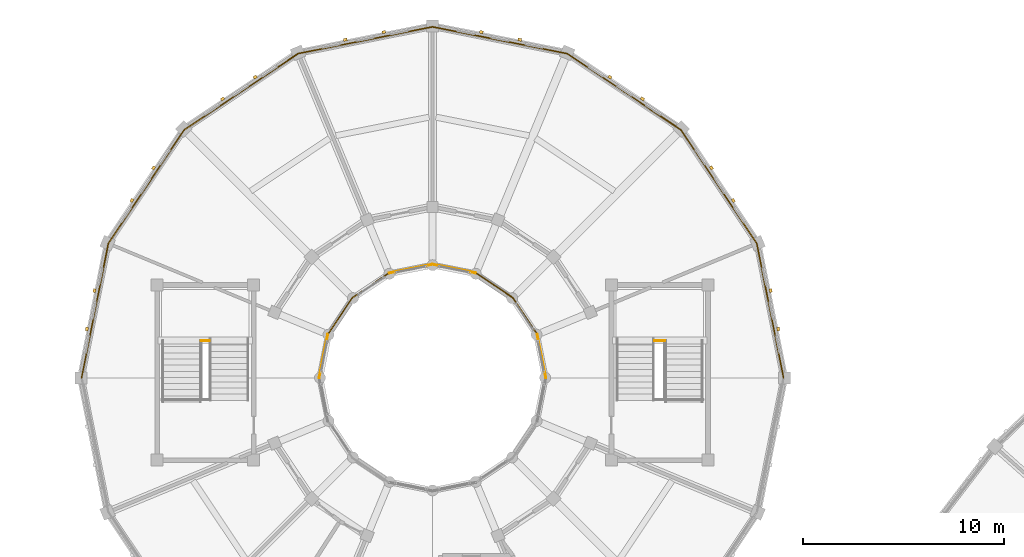
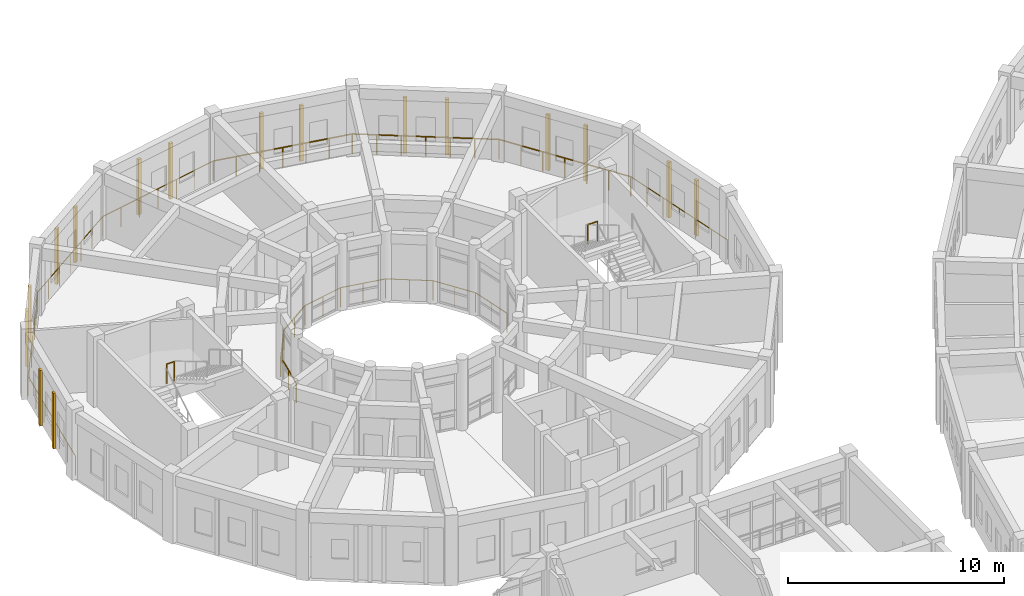
# One storey, part 104 of 112: 18 railings, 16 coverings.
"""IFC4 building model written with IfcOpenShell, lengths in metres."""

from ifc_helpers import new_model, si_unit, direction, frame, origin, origin_2d, place, context, subcontext, project, spatial, rectangle, circle, extrude, material, layer, layer_set, type_object, element, save


model = new_model("IFC4")

# Units and contexts
model_context = context("Model", 3, precision=1e-05, world=origin(), true_north=direction((0.0, 1.0)))
body_context = subcontext(model_context, "Body", "Model", "MODEL_VIEW")
ifc_project = project(units=[si_unit("LENGTHUNIT", "METRE"), si_unit("AREAUNIT", "SQUARE_METRE"), si_unit("VOLUMEUNIT", "CUBIC_METRE"), si_unit("PLANEANGLEUNIT", "RADIAN"), si_unit("MASSUNIT", "GRAM", prefix="KILO")], contexts=[model_context])

# Site, building, storey
site_placement = place(None, origin())
site = spatial("IfcSite", under=ifc_project, at=site_placement, CompositionType="ELEMENT")
building_placement = place(site_placement, origin())
building = spatial("IfcBuilding", under=site, at=building_placement, Name="Celadon Cloister-Ring School", CompositionType="ELEMENT")
storey_placement = place(building_placement, frame((0.0, 0.0, 8.5)))
storey = spatial("IfcBuildingStorey", under=building, at=storey_placement, Name="L02", CompositionType="ELEMENT", Elevation=8.5)

# Coverings
ifc_material_1 = material(Name="Perforated terracotta clay brick masonry", Category="masonry")
ifc_layer = layer(ifc_material_1, 0.139892578125)
ifc_layer_set = layer_set([ifc_layer], Name="Perforated terracotta clay brick masonry")
covering_type = type_object("IfcCoveringType", Name="CV-SC1", PredefinedType="CLADDING", material=ifc_layer_set)
for number, where, z_axis, x_axis, name in (
    (1, (37.01708984375, 101.339111328125, 0.0), (0.0, 0.0, 1.0), (0.195141675546, -0.980775064153, 0.0), "Brick Screen Rib 0502"),
    (2, (37.39794921875, 99.427001953125, 0.0), (0.0, 0.0, 1.0), (0.195141675546, -0.980775064153, 0.0), "Brick Screen Rib 0503"),
    (3, (34.075927734375, 107.444091796875, 0.0), (0.0, 0.0, 1.0), (0.55567181205, -0.831401730389, 0.0), "Brick Screen Rib 0504"),
    (4, (35.159912109375, 105.822998046875, 0.0), (0.0, 0.0, 1.0), (0.55567181205, -0.831401730389, 0.0), "Brick Screen Rib 0505"),
    (5, (29.02294921875, 111.9599609375, 0.0), (0.0, 0.0, 1.0), (0.831401730389, -0.55567181205, 0.0), "Brick Screen Rib 0506"),
    (6, (30.64404296875, 110.8759765625, 0.0), (0.0, 0.0, 1.0), (0.831401730389, -0.55567181205, 0.0), "Brick Screen Rib 0507"),
    (7, (22.626953125, 114.197998046875, 0.0), (0.0, 0.0, 1.0), (0.980775064153, -0.195141675546, 0.0), "Brick Screen Rib 0508"),
    (8, (24.5390625, 113.81689453125, 0.0), (0.0, 0.0, 1.0), (0.980775064153, -0.195141675546, 0.0), "Brick Screen Rib 0509"),
    (9, (15.861083984375, 113.81689453125, 0.0), (0.0, 0.0, 1.0), (0.980775064153, 0.195141675546, 0.0), "Brick Screen Rib 0510"),
    (10, (17.77294921875, 114.197998046875, 0.0), (0.0, 0.0, 1.0), (0.980775064153, 0.195141675546, 0.0), "Brick Screen Rib 0511"),
    (11, (9.756103515625, 110.8759765625, 0.0), (0.0, 0.0, 1.0), (0.831401730389, 0.55567181205, 0.0), "Brick Screen Rib 0512"),
    (12, (11.376953125, 111.9599609375, 0.0), (0.0, 0.0, 1.0), (0.831401730389, 0.55567181205, 0.0), "Brick Screen Rib 0513"),
    (13, (5.239990234375, 105.822998046875, 0.0), (0.0, 0.0, 1.0), (0.55567181205, 0.831401730389, 0.0), "Brick Screen Rib 0514"),
    (14, (6.323974609375, 107.444091796875, 0.0), (0.0, 0.0, 1.0), (0.55567181205, 0.831401730389, 0.0), "Brick Screen Rib 0515"),
    (15, (3.001953125, 99.427001953125, 0.0), (0.0, 0.0, 1.0), (0.195141675546, 0.980775064153, 0.0), "Brick Screen Rib 0516"),
    (16, (3.383056640625, 101.339111328125, 0.0), (0.0, 0.0, 1.0), (0.195141675546, 0.980775064153, 0.0), "Brick Screen Rib 0517"),
):
    element("IfcCovering", number, at=place(storey_placement, frame(where, z_axis=z_axis, x_axis=x_axis)), inside=storey, type_object=covering_type, Name=name, PredefinedType="CLADDING", context=body_context, shape_type="SweptSolid", body=[
        extrude(rectangle(XDim=0.179931640625, YDim=0.139892578125, at=origin_2d()), origin(), (0.0, 0.0, 1.0), 3.152099609375),
    ])

# Railings
ifc_material_2 = material(Name="Structural steel S355JR", Category="steel")
railing_type_1 = type_object("IfcRailingType", Name="RL-BL1", PredefinedType="BALUSTRADE", material=ifc_material_2)
railing_1_placement = place(storey_placement, frame((37.659912109375, 97.0, 0.0)))
element("IfcRailing", 17, at=railing_1_placement, inside=storey, type_object=railing_type_1, Name="Terrace Balustrade 0249", PredefinedType="BALUSTRADE", context=body_context, shape_type="SweptSolid", body=[
    extrude(circle(Radius=0.02392578125, at=origin_2d()), frame((0.0, 0.0, 1.09619140625), z_axis=(-0.19505472673, 0.980792360074, 0.0), x_axis=(-0.980792360074, -0.19505472673, 0.0)), (0.0, 0.0, 1.0), 6.812744140625),
    extrude(circle(Radius=0.02099609375, at=origin_2d()), origin(), (0.0, 0.0, 1.0), 1.072021484375),
    extrude(circle(Radius=0.02099609375, at=origin_2d()), frame((-0.221435546875, 1.11376953125, 0.0)), (0.0, 0.0, 1.0), 1.072021484375),
    extrude(circle(Radius=0.02099609375, at=origin_2d()), frame((-0.44287109375, 2.227294921875, 0.0)), (0.0, 0.0, 1.0), 1.072021484375),
    extrude(circle(Radius=0.02099609375, at=origin_2d()), frame((-0.66455078125, 3.3408203125, 0.0)), (0.0, 0.0, 1.0), 1.072021484375),
    extrude(circle(Radius=0.02099609375, at=origin_2d()), frame((-0.885986328125, 4.45458984375, 0.0)), (0.0, 0.0, 1.0), 1.072021484375),
    extrude(circle(Radius=0.02099609375, at=origin_2d()), frame((-1.107421875, 5.568359375, 0.0)), (0.0, 0.0, 1.0), 1.072021484375),
    extrude(circle(Radius=0.02099609375, at=origin_2d()), frame((-1.328857421875, 6.681884765625, 0.0)), (0.0, 0.0, 1.0), 1.072021484375),
])
railing_2_placement = place(storey_placement, frame((36.3310546875, 103.681884765625, 0.0)))
element("IfcRailing", 18, at=railing_2_placement, inside=storey, type_object=railing_type_1, Name="Terrace Balustrade 0250", PredefinedType="BALUSTRADE", context=body_context, shape_type="SweptSolid", body=[
    extrude(circle(Radius=0.02392578125, at=origin_2d()), frame((0.0, 0.0, 1.09619140625), z_axis=(-0.555626116577, 0.831432269387, 0.0), x_axis=(-0.831432269387, -0.555626116577, 0.0)), (0.0, 0.0, 1.0), 6.8125),
    extrude(circle(Radius=0.02099609375, at=origin_2d()), origin(), (0.0, 0.0, 1.0), 1.072021484375),
    extrude(circle(Radius=0.02099609375, at=origin_2d()), frame((-0.630859375, 0.944091796875, 0.0)), (0.0, 0.0, 1.0), 1.072021484375),
    extrude(circle(Radius=0.02099609375, at=origin_2d()), frame((-1.26171875, 1.887939453125, 0.0)), (0.0, 0.0, 1.0), 1.072021484375),
    extrude(circle(Radius=0.02099609375, at=origin_2d()), frame((-1.892578125, 2.83203125, 0.0)), (0.0, 0.0, 1.0), 1.072021484375),
    extrude(circle(Radius=0.02099609375, at=origin_2d()), frame((-2.5234375, 3.776123046875, 0.0)), (0.0, 0.0, 1.0), 1.072021484375),
    extrude(circle(Radius=0.02099609375, at=origin_2d()), frame((-3.154296875, 4.719970703125, 0.0)), (0.0, 0.0, 1.0), 1.072021484375),
    extrude(circle(Radius=0.02099609375, at=origin_2d()), frame((-3.78515625, 5.6640625, 0.0)), (0.0, 0.0, 1.0), 1.072021484375),
])
railing_3_placement = place(storey_placement, frame((32.5458984375, 109.345947265625, 0.0)))
element("IfcRailing", 19, at=railing_3_placement, inside=storey, type_object=railing_type_1, Name="Terrace Balustrade 0251", PredefinedType="BALUSTRADE", context=body_context, shape_type="SweptSolid", body=[
    extrude(circle(Radius=0.02392578125, at=origin_2d()), frame((0.0, 0.0, 1.09619140625), z_axis=(-0.831421205096, 0.555642672693, 0.0), x_axis=(-0.555642672693, -0.831421205096, 0.0)), (0.0, 0.0, 1.0), 6.812255859375),
    extrude(circle(Radius=0.02099609375, at=origin_2d()), origin(), (0.0, 0.0, 1.0), 1.072021484375),
    extrude(circle(Radius=0.02099609375, at=origin_2d()), frame((-0.94384765625, 0.630859375, 0.0)), (0.0, 0.0, 1.0), 1.072021484375),
    extrude(circle(Radius=0.02099609375, at=origin_2d()), frame((-1.887939453125, 1.26171875, 0.0)), (0.0, 0.0, 1.0), 1.072021484375),
    extrude(circle(Radius=0.02099609375, at=origin_2d()), frame((-2.83203125, 1.892578125, 0.0)), (0.0, 0.0, 1.0), 1.072021484375),
    extrude(circle(Radius=0.02099609375, at=origin_2d()), frame((-3.77587890625, 2.5234375, 0.0)), (0.0, 0.0, 1.0), 1.072021484375),
    extrude(circle(Radius=0.02099609375, at=origin_2d()), frame((-4.7197265625, 3.154296875, 0.0)), (0.0, 0.0, 1.0), 1.072021484375),
    extrude(circle(Radius=0.02099609375, at=origin_2d()), frame((-5.663818359375, 3.78515625, 0.0)), (0.0, 0.0, 1.0), 1.072021484375),
])
railing_4_placement = place(storey_placement, frame((26.882080078125, 113.131103515625, 0.0)))
element("IfcRailing", 20, at=railing_4_placement, inside=storey, type_object=railing_type_1, Name="Terrace Balustrade 0252", PredefinedType="BALUSTRADE", context=body_context, shape_type="SweptSolid", body=[
    extrude(circle(Radius=0.02392578125, at=origin_2d()), frame((0.0, 0.0, 1.09619140625), z_axis=(-0.980793723427, 0.195047871268, 0.0), x_axis=(-0.195047871268, -0.980793723427, 0.0)), (0.0, 0.0, 1.0), 6.81298828125),
    extrude(circle(Radius=0.02099609375, at=origin_2d()), origin(), (0.0, 0.0, 1.0), 1.072021484375),
    extrude(circle(Radius=0.02099609375, at=origin_2d()), frame((-1.11376953125, 0.221435546875, 0.0)), (0.0, 0.0, 1.0), 1.072021484375),
    extrude(circle(Radius=0.02099609375, at=origin_2d()), frame((-2.227294921875, 0.44287109375, 0.0)), (0.0, 0.0, 1.0), 1.072021484375),
    extrude(circle(Radius=0.02099609375, at=origin_2d()), frame((-3.341064453125, 0.66455078125, 0.0)), (0.0, 0.0, 1.0), 1.072021484375),
    extrude(circle(Radius=0.02099609375, at=origin_2d()), frame((-4.454833984375, 0.885986328125, 0.0)), (0.0, 0.0, 1.0), 1.072021484375),
    extrude(circle(Radius=0.02099609375, at=origin_2d()), frame((-5.568359375, 1.107421875, 0.0)), (0.0, 0.0, 1.0), 1.072021484375),
    extrude(circle(Radius=0.02099609375, at=origin_2d()), frame((-6.68212890625, 1.328857421875, 0.0)), (0.0, 0.0, 1.0), 1.072021484375),
])
railing_5_placement = place(storey_placement, frame((20.199951171875, 114.4599609375, 0.0)))
element("IfcRailing", 21, at=railing_5_placement, inside=storey, type_object=railing_type_1, Name="Terrace Balustrade 0253", PredefinedType="BALUSTRADE", context=body_context, shape_type="SweptSolid", body=[
    extrude(circle(Radius=0.02392578125, at=origin_2d()), frame((0.0, 0.0, 1.09619140625), z_axis=(-0.980792360074, -0.19505472673, 0.0), x_axis=(0.19505472673, -0.980792360074, 0.0)), (0.0, 0.0, 1.0), 6.812744140625),
    extrude(circle(Radius=0.02099609375, at=origin_2d()), origin(), (0.0, 0.0, 1.0), 1.072021484375),
    extrude(circle(Radius=0.02099609375, at=origin_2d()), frame((-1.11376953125, -0.221435546875, 0.0)), (0.0, 0.0, 1.0), 1.072021484375),
    extrude(circle(Radius=0.02099609375, at=origin_2d()), frame((-2.227294921875, -0.44287109375, 0.0)), (0.0, 0.0, 1.0), 1.072021484375),
    extrude(circle(Radius=0.02099609375, at=origin_2d()), frame((-3.3408203125, -0.66455078125, 0.0)), (0.0, 0.0, 1.0), 1.072021484375),
    extrude(circle(Radius=0.02099609375, at=origin_2d()), frame((-4.45458984375, -0.885986328125, 0.0)), (0.0, 0.0, 1.0), 1.072021484375),
    extrude(circle(Radius=0.02099609375, at=origin_2d()), frame((-5.568359375, -1.107421875, 0.0)), (0.0, 0.0, 1.0), 1.072021484375),
    extrude(circle(Radius=0.02099609375, at=origin_2d()), frame((-6.681884765625, -1.328857421875, 0.0)), (0.0, 0.0, 1.0), 1.072021484375),
])
railing_6_placement = place(storey_placement, frame((13.51806640625, 113.131103515625, 0.0)))
element("IfcRailing", 22, at=railing_6_placement, inside=storey, type_object=railing_type_1, Name="Terrace Balustrade 0254", PredefinedType="BALUSTRADE", context=body_context, shape_type="SweptSolid", body=[
    extrude(circle(Radius=0.02392578125, at=origin_2d()), frame((0.0, 0.0, 1.09619140625), z_axis=(-0.831432269387, -0.555626116577, 0.0), x_axis=(0.555626116577, -0.831432269387, 0.0)), (0.0, 0.0, 1.0), 6.8125),
    extrude(circle(Radius=0.02099609375, at=origin_2d()), origin(), (0.0, 0.0, 1.0), 1.072021484375),
    extrude(circle(Radius=0.02099609375, at=origin_2d()), frame((-0.944091796875, -0.630859375, 0.0)), (0.0, 0.0, 1.0), 1.072021484375),
    extrude(circle(Radius=0.02099609375, at=origin_2d()), frame((-1.887939453125, -1.26171875, 0.0)), (0.0, 0.0, 1.0), 1.072021484375),
    extrude(circle(Radius=0.02099609375, at=origin_2d()), frame((-2.83203125, -1.892578125, 0.0)), (0.0, 0.0, 1.0), 1.072021484375),
    extrude(circle(Radius=0.02099609375, at=origin_2d()), frame((-3.776123046875, -2.5234375, 0.0)), (0.0, 0.0, 1.0), 1.072021484375),
    extrude(circle(Radius=0.02099609375, at=origin_2d()), frame((-4.719970703125, -3.154296875, 0.0)), (0.0, 0.0, 1.0), 1.072021484375),
    extrude(circle(Radius=0.02099609375, at=origin_2d()), frame((-5.6640625, -3.78515625, 0.0)), (0.0, 0.0, 1.0), 1.072021484375),
])
railing_7_placement = place(storey_placement, frame((7.85400390625, 109.345947265625, 0.0)))
element("IfcRailing", 23, at=railing_7_placement, inside=storey, type_object=railing_type_1, Name="Terrace Balustrade 0255", PredefinedType="BALUSTRADE", context=body_context, shape_type="SweptSolid", body=[
    extrude(circle(Radius=0.02392578125, at=origin_2d()), frame((0.0, 0.0, 1.09619140625), z_axis=(-0.555601342036, -0.831448825081, 0.0), x_axis=(0.831448825081, -0.555601342036, 0.0)), (0.0, 0.0, 1.0), 6.812255859375),
    extrude(circle(Radius=0.02099609375, at=origin_2d()), origin(), (0.0, 0.0, 1.0), 1.072021484375),
    extrude(circle(Radius=0.02099609375, at=origin_2d()), frame((-0.630859375, -0.944091796875, 0.0)), (0.0, 0.0, 1.0), 1.072021484375),
    extrude(circle(Radius=0.02099609375, at=origin_2d()), frame((-1.26171875, -1.887939453125, 0.0)), (0.0, 0.0, 1.0), 1.072021484375),
    extrude(circle(Radius=0.02099609375, at=origin_2d()), frame((-1.892578125, -2.83203125, 0.0)), (0.0, 0.0, 1.0), 1.072021484375),
    extrude(circle(Radius=0.02099609375, at=origin_2d()), frame((-2.523193359375, -3.776123046875, 0.0)), (0.0, 0.0, 1.0), 1.072021484375),
    extrude(circle(Radius=0.02099609375, at=origin_2d()), frame((-3.154052734375, -4.719970703125, 0.0)), (0.0, 0.0, 1.0), 1.072021484375),
    extrude(circle(Radius=0.02099609375, at=origin_2d()), frame((-3.784912109375, -5.6640625, 0.0)), (0.0, 0.0, 1.0), 1.072021484375),
])
railing_8_placement = place(storey_placement, frame((4.069091796875, 103.681884765625, 0.0)))
element("IfcRailing", 24, at=railing_8_placement, inside=storey, type_object=railing_type_1, Name="Terrace Balustrade 0256", PredefinedType="BALUSTRADE", context=body_context, shape_type="SweptSolid", body=[
    extrude(circle(Radius=0.02392578125, at=origin_2d()), frame((0.0, 0.0, 1.09619140625), z_axis=(-0.19508919883, -0.980785503818, 0.0), x_axis=(0.980785503818, -0.19508919883, 0.0)), (0.0, 0.0, 1.0), 6.812744140625),
    extrude(circle(Radius=0.02099609375, at=origin_2d()), origin(), (0.0, 0.0, 1.0), 1.072021484375),
    extrude(circle(Radius=0.02099609375, at=origin_2d()), frame((-0.221435546875, -1.11376953125, 0.0)), (0.0, 0.0, 1.0), 1.072021484375),
    extrude(circle(Radius=0.02099609375, at=origin_2d()), frame((-0.443115234375, -2.227294921875, 0.0)), (0.0, 0.0, 1.0), 1.072021484375),
    extrude(circle(Radius=0.02099609375, at=origin_2d()), frame((-0.66455078125, -3.3408203125, 0.0)), (0.0, 0.0, 1.0), 1.072021484375),
    extrude(circle(Radius=0.02099609375, at=origin_2d()), frame((-0.885986328125, -4.45458984375, 0.0)), (0.0, 0.0, 1.0), 1.072021484375),
    extrude(circle(Radius=0.02099609375, at=origin_2d()), frame((-1.107666015625, -5.568359375, 0.0)), (0.0, 0.0, 1.0), 1.072021484375),
    extrude(circle(Radius=0.02099609375, at=origin_2d()), frame((-1.3291015625, -6.681884765625, 0.0)), (0.0, 0.0, 1.0), 1.072021484375),
])
railing_9_placement = place(storey_placement, frame((25.840087890625, 97.0, 0.0)))
element("IfcRailing", 25, at=railing_9_placement, inside=storey, type_object=railing_type_1, Name="Terrace Balustrade 0265", PredefinedType="BALUSTRADE", context=body_context, shape_type="SweptSolid", body=[
    extrude(circle(Radius=0.02392578125, at=origin_2d()), frame((0.0, 0.0, 1.09619140625), z_axis=(-0.19507042432, 0.980789238091, 0.0), x_axis=(-0.980789238091, -0.19507042432, 0.0)), (0.0, 0.0, 1.0), 2.2001953125),
    extrude(circle(Radius=0.02099609375, at=origin_2d()), origin(), (0.0, 0.0, 1.0), 1.072021484375),
    extrude(circle(Radius=0.02099609375, at=origin_2d()), frame((-0.214599609375, 1.0791015625, 0.0)), (0.0, 0.0, 1.0), 1.072021484375),
    extrude(circle(Radius=0.02099609375, at=origin_2d()), frame((-0.42919921875, 2.157958984375, 0.0)), (0.0, 0.0, 1.0), 1.072021484375),
])
railing_10_placement = place(storey_placement, frame((25.410888671875, 99.157958984375, 0.0)))
element("IfcRailing", 26, at=railing_10_placement, inside=storey, type_object=railing_type_1, Name="Terrace Balustrade 0266", PredefinedType="BALUSTRADE", context=body_context, shape_type="SweptSolid", body=[
    extrude(circle(Radius=0.02392578125, at=origin_2d()), frame((0.0, 0.0, 1.09619140625), z_axis=(-0.555595762933, 0.831452553193, 0.0), x_axis=(-0.831452553193, -0.555595762933, 0.0)), (0.0, 0.0, 1.0), 2.201171875),
    extrude(circle(Radius=0.02099609375, at=origin_2d()), origin(), (0.0, 0.0, 1.0), 1.072021484375),
    extrude(circle(Radius=0.02099609375, at=origin_2d()), frame((-0.611328125, 0.9150390625, 0.0)), (0.0, 0.0, 1.0), 1.072021484375),
    extrude(circle(Radius=0.02099609375, at=origin_2d()), frame((-1.222900390625, 1.830078125, 0.0)), (0.0, 0.0, 1.0), 1.072021484375),
])
railing_11_placement = place(storey_placement, frame((24.18798828125, 100.988037109375, 0.0)))
element("IfcRailing", 27, at=railing_11_placement, inside=storey, type_object=railing_type_1, Name="Terrace Balustrade 0267", PredefinedType="BALUSTRADE", context=body_context, shape_type="SweptSolid", body=[
    extrude(circle(Radius=0.02392578125, at=origin_2d()), frame((0.0, 0.0, 1.09619140625), z_axis=(-0.831452553193, 0.555595762933, 0.0), x_axis=(-0.555595762933, -0.831452553193, 0.0)), (0.0, 0.0, 1.0), 2.201171875),
    extrude(circle(Radius=0.02099609375, at=origin_2d()), origin(), (0.0, 0.0, 1.0), 1.072021484375),
    extrude(circle(Radius=0.02099609375, at=origin_2d()), frame((-0.9150390625, 0.611328125, 0.0)), (0.0, 0.0, 1.0), 1.072021484375),
    extrude(circle(Radius=0.02099609375, at=origin_2d()), frame((-1.830078125, 1.222900390625, 0.0)), (0.0, 0.0, 1.0), 1.072021484375),
])
railing_12_placement = place(storey_placement, frame((22.35791015625, 102.2109375, 0.0)))
element("IfcRailing", 28, at=railing_12_placement, inside=storey, type_object=railing_type_1, Name="Terrace Balustrade 0268", PredefinedType="BALUSTRADE", context=body_context, shape_type="SweptSolid", body=[
    extrude(circle(Radius=0.02392578125, at=origin_2d()), frame((0.0, 0.0, 1.09619140625), z_axis=(-0.980810462238, 0.194963681655, 0.0), x_axis=(-0.194963681655, -0.980810462238, 0.0)), (0.0, 0.0, 1.0), 2.2001953125),
    extrude(circle(Radius=0.02099609375, at=origin_2d()), origin(), (0.0, 0.0, 1.0), 1.072021484375),
    extrude(circle(Radius=0.02099609375, at=origin_2d()), frame((-1.0791015625, 0.21435546875, 0.0)), (0.0, 0.0, 1.0), 1.072021484375),
    extrude(circle(Radius=0.02099609375, at=origin_2d()), frame((-2.157958984375, 0.428955078125, 0.0)), (0.0, 0.0, 1.0), 1.072021484375),
])
railing_13_placement = place(storey_placement, frame((20.199951171875, 102.639892578125, 0.0)))
element("IfcRailing", 29, at=railing_13_placement, inside=storey, type_object=railing_type_1, Name="Terrace Balustrade 0269", PredefinedType="BALUSTRADE", context=body_context, shape_type="SweptSolid", body=[
    extrude(circle(Radius=0.02392578125, at=origin_2d()), frame((0.0, 0.0, 1.09619140625), z_axis=(-0.980810462238, -0.194963681655, 0.0), x_axis=(0.194963681655, -0.980810462238, 0.0)), (0.0, 0.0, 1.0), 2.2001953125),
    extrude(circle(Radius=0.02099609375, at=origin_2d()), origin(), (0.0, 0.0, 1.0), 1.072021484375),
    extrude(circle(Radius=0.02099609375, at=origin_2d()), frame((-1.0791015625, -0.21435546875, 0.0)), (0.0, 0.0, 1.0), 1.072021484375),
    extrude(circle(Radius=0.02099609375, at=origin_2d()), frame((-2.157958984375, -0.428955078125, 0.0)), (0.0, 0.0, 1.0), 1.072021484375),
])
railing_14_placement = place(storey_placement, frame((18.0419921875, 102.2109375, 0.0)))
element("IfcRailing", 30, at=railing_14_placement, inside=storey, type_object=railing_type_1, Name="Terrace Balustrade 0270", PredefinedType="BALUSTRADE", context=body_context, shape_type="SweptSolid", body=[
    extrude(circle(Radius=0.02392578125, at=origin_2d()), frame((0.0, 0.0, 1.09619140625), z_axis=(-0.831452553193, -0.555595762933, 0.0), x_axis=(0.555595762933, -0.831452553193, 0.0)), (0.0, 0.0, 1.0), 2.201171875),
    extrude(circle(Radius=0.02099609375, at=origin_2d()), origin(), (0.0, 0.0, 1.0), 1.072021484375),
    extrude(circle(Radius=0.02099609375, at=origin_2d()), frame((-0.9150390625, -0.611328125, 0.0)), (0.0, 0.0, 1.0), 1.072021484375),
    extrude(circle(Radius=0.02099609375, at=origin_2d()), frame((-1.830078125, -1.222900390625, 0.0)), (0.0, 0.0, 1.0), 1.072021484375),
])
railing_15_placement = place(storey_placement, frame((16.2119140625, 100.988037109375, 0.0)))
element("IfcRailing", 31, at=railing_15_placement, inside=storey, type_object=railing_type_1, Name="Terrace Balustrade 0271", PredefinedType="BALUSTRADE", context=body_context, shape_type="SweptSolid", body=[
    extrude(circle(Radius=0.02392578125, at=origin_2d()), frame((0.0, 0.0, 1.09619140625), z_axis=(-0.555595762933, -0.831452553193, 0.0), x_axis=(0.831452553193, -0.555595762933, 0.0)), (0.0, 0.0, 1.0), 2.201171875),
    extrude(circle(Radius=0.02099609375, at=origin_2d()), origin(), (0.0, 0.0, 1.0), 1.072021484375),
    extrude(circle(Radius=0.02099609375, at=origin_2d()), frame((-0.611328125, -0.9150390625, 0.0)), (0.0, 0.0, 1.0), 1.072021484375),
    extrude(circle(Radius=0.02099609375, at=origin_2d()), frame((-1.222900390625, -1.830078125, 0.0)), (0.0, 0.0, 1.0), 1.072021484375),
])
railing_16_placement = place(storey_placement, frame((14.989013671875, 99.157958984375, 0.0)))
element("IfcRailing", 32, at=railing_16_placement, inside=storey, type_object=railing_type_1, Name="Terrace Balustrade 0272", PredefinedType="BALUSTRADE", context=body_context, shape_type="SweptSolid", body=[
    extrude(circle(Radius=0.02392578125, at=origin_2d()), frame((0.0, 0.0, 1.09619140625), z_axis=(-0.194963681655, -0.980810462238, 0.0), x_axis=(0.980810462238, -0.194963681655, 0.0)), (0.0, 0.0, 1.0), 2.2001953125),
    extrude(circle(Radius=0.02099609375, at=origin_2d()), origin(), (0.0, 0.0, 1.0), 1.072021484375),
    extrude(circle(Radius=0.02099609375, at=origin_2d()), frame((-0.21435546875, -1.0791015625, 0.0)), (0.0, 0.0, 1.0), 1.072021484375),
    extrude(circle(Radius=0.02099609375, at=origin_2d()), frame((-0.428955078125, -2.157958984375, 0.0)), (0.0, 0.0, 1.0), 1.072021484375),
])
ifc_material_3 = material(Name="Structural steel S355JR", Category="steel")
railing_type_2 = type_object("IfcRailingType", Name="RL-BL2", PredefinedType="BALUSTRADE", material=ifc_material_3)
railing_17_placement = place(storey_placement, frame((8.699951171875, 98.85009765625, 2.0)))
element("IfcRailing", 33, at=railing_17_placement, inside=storey, type_object=railing_type_2, Name="Interior Guard 0129", PredefinedType="BALUSTRADE", context=body_context, shape_type="SweptSolid", body=[
    extrude(circle(Radius=0.02392578125, at=origin_2d()), frame((0.0, 0.0, 1.09619140625), z_axis=(1.0, 0.0, 0.0), x_axis=(0.0, 1.0, 0.0)), (0.0, 0.0, 1.0), 0.400146484375),
    extrude(circle(Radius=0.02099609375, at=origin_2d()), origin(), (0.0, 0.0, 1.0), 1.072021484375),
    extrude(circle(Radius=0.02099609375, at=origin_2d()), frame((0.400146484375, 0.0, 0.0)), (0.0, 0.0, 1.0), 1.072021484375),
])
railing_18_placement = place(storey_placement, frame((31.239990234375, 98.85009765625, 2.0)))
element("IfcRailing", 34, at=railing_18_placement, inside=storey, type_object=railing_type_2, Name="Interior Guard 0150", PredefinedType="BALUSTRADE", context=body_context, shape_type="SweptSolid", body=[
    extrude(circle(Radius=0.02392578125, at=origin_2d()), frame((0.0, 0.0, 1.09619140625), z_axis=(1.0, 0.0, 0.0), x_axis=(0.0, 1.0, 0.0)), (0.0, 0.0, 1.0), 0.52001953125),
    extrude(circle(Radius=0.02099609375, at=origin_2d()), origin(), (0.0, 0.0, 1.0), 1.072021484375),
    extrude(circle(Radius=0.02099609375, at=origin_2d()), frame((0.52001953125, 0.0, 0.0)), (0.0, 0.0, 1.0), 1.072021484375),
])

save(model, "model.ifc")
